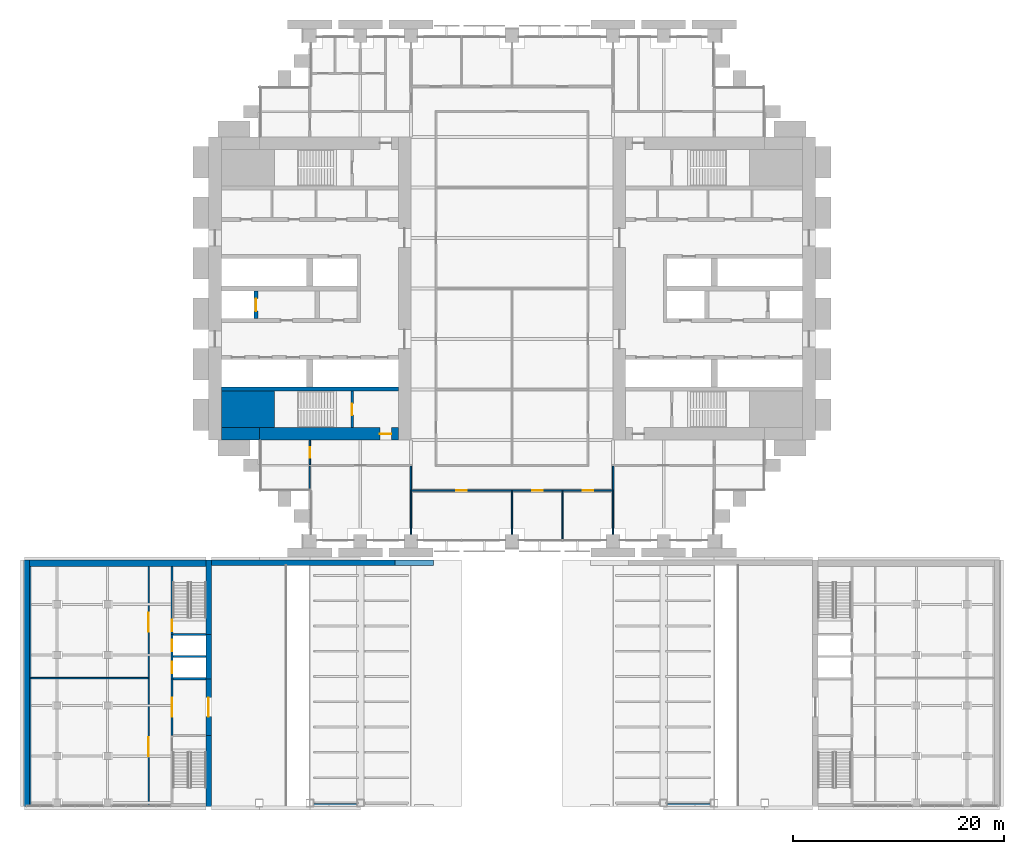
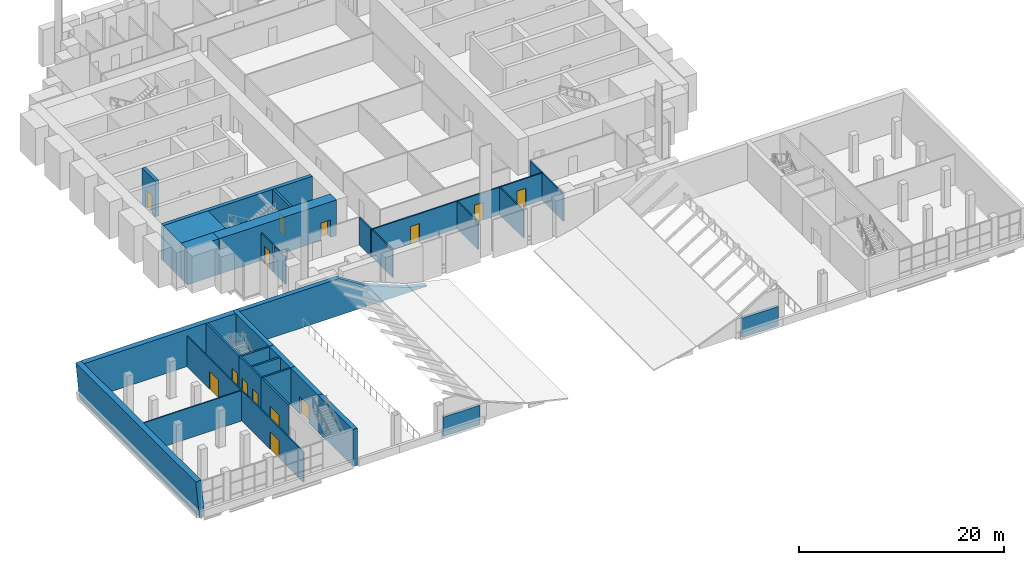
# One storey, part 20 of 32: 32 walls, 14 doors, 14 openings.
"""IFC4 building model written with IfcOpenShell, lengths in metres."""

from ifc_helpers import new_model, si_unit, direction, frame, frame_2d, origin, place, context, subcontext, project, spatial, polyline, rectangle, outline, extrude, material, layer, layer_set, type_object, element, fill, save


model = new_model("IFC4")

# Units and contexts
model_context = context("Model", 3, precision=1e-05, world=origin(), true_north=direction((0.0, 1.0)))
body_context = subcontext(model_context, "Body", "Model", "MODEL_VIEW")
ifc_project = project(units=[si_unit("LENGTHUNIT", "METRE"), si_unit("AREAUNIT", "SQUARE_METRE"), si_unit("VOLUMEUNIT", "CUBIC_METRE"), si_unit("PLANEANGLEUNIT", "RADIAN"), si_unit("MASSUNIT", "GRAM", prefix="KILO")], contexts=[model_context])

# Site, building, storey
site_placement = place(None, origin())
site = spatial("IfcSite", under=ifc_project, at=site_placement, CompositionType="ELEMENT")
building_placement = place(site_placement, origin())
building = spatial("IfcBuilding", under=site, at=building_placement, Name="Baori Bourse Tower", CompositionType="ELEMENT")
storey_placement = place(building_placement, frame((0.0, 0.0, 12.60009765625)))
storey = spatial("IfcBuildingStorey", under=building, at=storey_placement, Name="L01", CompositionType="ELEMENT", Elevation=12.60009765625)

# Walls
ifc_material_1 = material(Name="Concrete f'c 70 MPa", Category="concrete")
wall_type_1 = type_object("IfcWallType", Name="Core corner block f'c 70", PredefinedType="SHEAR", material=ifc_material_1)
wall_1_placement = place(storey_placement, frame((1.199951171875, 12.52490234375, 0.0), z_axis=(0.0, 0.0, 1.0), x_axis=(1.0, 0.0, 0.0)))
element("IfcWall", 1, at=wall_1_placement, inside=storey, type_object=wall_type_1, Name="Core wall W05", PredefinedType="SHEAR", context=body_context, shape_type="SweptSolid", body=[
    extrude(rectangle(XDim=5.050048828125, YDim=3.449951171875, at=frame_2d((2.52490234375, 0.0))), origin(), (0.0, 0.0, 1.0), 4.239990234375),
])
ifc_material_2 = material(Name="Concrete f'c 70 MPa", Category="concrete")
ifc_layer_1 = layer(ifc_material_2, 1.199951171875)
ifc_layer_set_1 = layer_set([ifc_layer_1], Name="Core wall 1200 f'c 70")
wall_type_2 = type_object("IfcWallType", Name="Core wall 1200 f'c 70", PredefinedType="SHEAR", material=ifc_layer_set_1)
wall_2_placement = place(storey_placement, frame((4.800048828125, 10.199951171875, 0.0), z_axis=(0.0, 0.0, 1.0), x_axis=(-1.0, 0.0, 0.0)))
element("IfcWall", 2, at=wall_2_placement, inside=storey, type_object=wall_type_2, Name="Core wall W02", PredefinedType="SHEAR", context=body_context, shape_type="SweptSolid", body=[
    extrude(rectangle(XDim=3.60009765625, YDim=1.199951171875, at=frame_2d((1.800048828125, 0.0))), origin(), (0.0, 0.0, 1.0), 4.239990234375),
])

# Wall, opening, door
wall_3_placement = place(storey_placement, frame((18.0, 10.199951171875, 0.0), z_axis=(0.0, 0.0, 1.0), x_axis=(-1.0, 0.0, 0.0)))
wall_3 = element("IfcWall", 3, at=wall_3_placement, inside=storey, type_object=wall_type_2, Name="Core wall W03", PredefinedType="SHEAR", context=body_context, shape_type="SweptSolid", body=[
    extrude(rectangle(XDim=13.199951171875, YDim=1.199951171875, at=frame_2d((6.60009765625, 0.0))), origin(), (0.0, 0.0, 1.0), 4.239990234375),
])
opening_1_placement = place(wall_3_placement, frame((0.64990234375, 0.0, 0.0)))
opening_1 = element("IfcOpeningElement", 4, at=opening_1_placement, cuts=wall_3, Name="Opening L01-D102", PredefinedType="OPENING", context=body_context, shape_type="SweptSolid", body=[
    extrude(rectangle(XDim=1.10009765625, YDim=2.10009765625, at=frame_2d((0.550048828125, 1.050048828125))), frame((0.0, 0.60986328125, 0.0), z_axis=(0.0, -1.0, 0.0), x_axis=(1.0, 0.0, 0.0)), (0.0, 0.0, 1.0), 1.219970703125),
])
ifc_material_3 = material(Name="Painted steel door", Category="steel")
door_type_1 = type_object("IfcDoorType", Name="Stair door 1100", OperationType="SINGLE_SWING_LEFT", PredefinedType="DOOR", material=ifc_material_3)
door_1_placement = place(opening_1_placement, origin())
door_1 = element("IfcDoor", 5, at=door_1_placement, inside=storey, type_object=door_type_1, Name="Stair vestibule door A W L01", OperationType="SINGLE_SWING_LEFT", OverallHeight=2.10009765625, OverallWidth=1.10009765625, PredefinedType="DOOR", context=body_context, shape_type="SweptSolid", body=[
    extrude(rectangle(XDim=1.10009765625, YDim=2.10009765625, at=frame_2d((0.550048828125, 1.050048828125))), frame((0.0, 0.02490234375, 0.0), z_axis=(0.0, -1.0, 0.0), x_axis=(1.0, 0.0, 0.0)), (0.0, 0.0, 1.0), 0.050048828125),
])
fill(opening_1, door_1)

# Wall, openings, doors
ifc_material_4 = material(Name="Gypsum board partition")
ifc_layer_2 = layer(ifc_material_4, 0.14990234375)
ifc_layer_set_2 = layer_set([ifc_layer_2], Name="Corridor partition 150")
wall_type_3 = type_object("IfcWallType", Name="Corridor partition 150", PredefinedType="PARTITIONING", material=ifc_layer_set_2)
wall_4_placement = place(storey_placement, frame((19.125, 4.800048828125, 0.0), z_axis=(0.0, 0.0, 1.0), x_axis=(1.0, 0.0, 0.0)))
wall_4 = element("IfcWall", 6, at=wall_4_placement, inside=storey, type_object=wall_type_3, Name="Partition", PredefinedType="PARTITIONING", context=body_context, shape_type="SweptSolid", body=[
    extrude(rectangle(XDim=19.35009765625, YDim=0.14990234375, at=frame_2d((9.675048828125, 0.0))), origin(), (0.0, 0.0, 1.0), 3.26953125),
])
opening_2_placement = place(wall_4_placement, frame((4.375, 0.0, 0.0)))
opening_2 = element("IfcOpeningElement", 7, at=opening_2_placement, cuts=wall_4, Name="Opening L01-D01", PredefinedType="OPENING", context=body_context, shape_type="SweptSolid", body=[
    extrude(rectangle(XDim=1.0, YDim=2.10009765625, at=frame_2d((0.5, 1.050048828125))), frame((0.0, 0.0849609375, 0.0), z_axis=(0.0, -1.0, 0.0), x_axis=(1.0, 0.0, 0.0)), (0.0, 0.0, 1.0), 0.169921875),
])
opening_3_placement = place(wall_4_placement, frame((11.574951171875, 0.0, 0.0)))
opening_3 = element("IfcOpeningElement", 8, at=opening_3_placement, cuts=wall_4, Name="Opening L01-D02", PredefinedType="OPENING", context=body_context, shape_type="SweptSolid", body=[
    extrude(rectangle(XDim=1.0, YDim=2.10009765625, at=frame_2d((0.5, 1.050048828125))), frame((0.0, 0.0849609375, 0.0), z_axis=(0.0, -1.0, 0.0), x_axis=(1.0, 0.0, 0.0)), (0.0, 0.0, 1.0), 0.169921875),
])
opening_4_placement = place(wall_4_placement, frame((16.375, 0.0, 0.0)))
opening_4 = element("IfcOpeningElement", 9, at=opening_4_placement, cuts=wall_4, Name="Opening L01-D03", PredefinedType="OPENING", context=body_context, shape_type="SweptSolid", body=[
    extrude(rectangle(XDim=1.0, YDim=2.10009765625, at=frame_2d((0.5, 1.050048828125))), frame((0.0, 0.0849609375, 0.0), z_axis=(0.0, -1.0, 0.0), x_axis=(1.0, 0.0, 0.0)), (0.0, 0.0, 1.0), 0.169921875),
])
ifc_material_5 = material(Name="Timber door leaf", Category="wood")
door_type_2 = type_object("IfcDoorType", Name="Door 1000 x 2100", OperationType="SINGLE_SWING_LEFT", PredefinedType="DOOR", material=ifc_material_5)
door_2_placement = place(opening_2_placement, origin())
door_2 = element("IfcDoor", 10, at=door_2_placement, inside=storey, type_object=door_type_2, Name="Door", OperationType="SINGLE_SWING_LEFT", OverallHeight=2.10009765625, OverallWidth=1.0, PredefinedType="DOOR", context=body_context, shape_type="SweptSolid", body=[
    extrude(rectangle(XDim=1.0, YDim=2.10009765625, at=frame_2d((0.5, 1.050048828125))), frame((0.0, 0.02490234375, 0.0), z_axis=(0.0, -1.0, 0.0), x_axis=(1.0, 0.0, 0.0)), (0.0, 0.0, 1.0), 0.050048828125),
])
fill(opening_2, door_2)
door_3_placement = place(opening_3_placement, origin())
door_3 = element("IfcDoor", 11, at=door_3_placement, inside=storey, type_object=door_type_2, Name="Door", OperationType="SINGLE_SWING_RIGHT", OverallHeight=2.10009765625, OverallWidth=1.0, PredefinedType="DOOR", context=body_context, shape_type="SweptSolid", body=[
    extrude(rectangle(XDim=1.0, YDim=2.10009765625, at=frame_2d((0.5, 1.050048828125))), frame((0.0, 0.02490234375, 0.0), z_axis=(0.0, -1.0, 0.0), x_axis=(1.0, 0.0, 0.0)), (0.0, 0.0, 1.0), 0.050048828125),
])
fill(opening_3, door_3)
door_4_placement = place(opening_4_placement, origin())
door_4 = element("IfcDoor", 12, at=door_4_placement, inside=storey, type_object=door_type_2, Name="Door", OperationType="SINGLE_SWING_RIGHT", OverallHeight=2.10009765625, OverallWidth=1.0, PredefinedType="DOOR", context=body_context, shape_type="SweptSolid", body=[
    extrude(rectangle(XDim=1.0, YDim=2.10009765625, at=frame_2d((0.5, 1.050048828125))), frame((0.0, 0.02490234375, 0.0), z_axis=(0.0, -1.0, 0.0), x_axis=(1.0, 0.0, 0.0)), (0.0, 0.0, 1.0), 0.050048828125),
])
fill(opening_4, door_4)

# Wall, opening, door
wall_5_placement = place(storey_placement, frame((9.60009765625, 7.27490234375, 0.0), z_axis=(0.0, 0.0, 1.0), x_axis=(0.0, 1.0, 0.0)))
wall_5 = element("IfcWall", 13, at=wall_5_placement, inside=storey, type_object=wall_type_3, Name="Partition", PredefinedType="PARTITIONING", context=body_context, shape_type="SweptSolid", body=[
    extrude(rectangle(XDim=2.3251953125, YDim=0.14990234375, at=frame_2d((1.16259765625, 0.0))), origin(), (0.0, 0.0, 1.0), 3.26953125),
])
opening_5_placement = place(wall_5_placement, frame((0.66259765625, 0.0, 0.0)))
opening_5 = element("IfcOpeningElement", 14, at=opening_5_placement, cuts=wall_5, Name="Opening L01-D15", PredefinedType="OPENING", context=body_context, shape_type="SweptSolid", body=[
    extrude(rectangle(XDim=1.0, YDim=2.10009765625, at=frame_2d((0.5, 1.050048828125))), frame((0.0, 0.0849609375, 0.0), z_axis=(0.0, -1.0, 0.0), x_axis=(1.0, 0.0, 0.0)), (0.0, 0.0, 1.0), 0.169921875),
])
door_5_placement = place(opening_5_placement, origin())
door_5 = element("IfcDoor", 15, at=door_5_placement, inside=storey, type_object=door_type_2, Name="Door", OperationType="SINGLE_SWING_RIGHT", OverallHeight=2.10009765625, OverallWidth=1.0, PredefinedType="DOOR", context=body_context, shape_type="SweptSolid", body=[
    extrude(rectangle(XDim=1.0, YDim=2.10009765625, at=frame_2d((0.5, 1.050048828125))), frame((0.0, 0.02490234375, 0.0), z_axis=(0.0, -1.0, 0.0), x_axis=(1.0, 0.0, 0.0)), (0.0, 0.0, 1.0), 0.050048828125),
])
fill(opening_5, door_5)

# Walls
for number, where, z_axis, x_axis, name in (
    (16, (19.199951171875, 4.875, 0.0), (0.0, 0.0, 1.0), (0.0, 1.0, 0.0), "Partition"),
    (17, (38.39990234375, 4.875, 0.0), (0.0, 0.0, 1.0), (0.0, 1.0, 0.0), "Partition"),
):
    element("IfcWall", number, at=place(storey_placement, frame(where, z_axis=z_axis, x_axis=x_axis)), inside=storey, type_object=wall_type_3, Name=name, PredefinedType="PARTITIONING", context=body_context, shape_type="SweptSolid", body=[
        extrude(rectangle(XDim=2.25, YDim=0.14990234375, at=frame_2d((1.125, 0.0))), origin(), (0.0, 0.0, 1.0), 3.26953125),
    ])
ifc_material_6 = material(Name="Concrete f'c 50 MPa", Category="concrete")
ifc_layer_3 = layer(ifc_material_6, 0.300048828125)
ifc_layer_set_3 = layer_set([ifc_layer_3], Name="Entrance wall 300")
wall_type_4 = type_object("IfcWallType", Name="Entrance wall 300", PredefinedType="SOLIDWALL", material=ifc_layer_set_3)
wall_6_placement = place(storey_placement, frame((14.050048828125, -25.050048828125, 0.0), z_axis=(0.0, 0.0, 1.0), x_axis=(-1.0, 0.0, 0.0)))
element("IfcWall", 18, at=wall_6_placement, inside=storey, type_object=wall_type_4, Name="wing/L01/entwall/001", PredefinedType="SOLIDWALL", context=body_context, shape_type="SweptSolid", body=[
    extrude(rectangle(XDim=4.10009765625, YDim=0.300048828125, at=frame_2d((2.050048828125, 0.0))), origin(), (0.0, 0.0, 1.0), 2.2998046875),
])
wall_7_placement = place(storey_placement, frame((47.64990234375, -25.050048828125, 0.0), z_axis=(0.0, 0.0, 1.0), x_axis=(-1.0, 0.0, 0.0)))
element("IfcWall", 19, at=wall_7_placement, inside=storey, type_object=wall_type_4, Name="wing/L01/entwall/002", PredefinedType="SOLIDWALL", context=body_context, shape_type="SweptSolid", body=[
    extrude(rectangle(XDim=4.099853515625, YDim=0.300048828125, at=frame_2d((2.0498046875, 0.0))), origin(), (0.0, 0.0, 1.0), 2.2998046875),
])
ifc_material_7 = material(Name="Concrete f'c 50 MPa", Category="concrete")
ifc_layer_4 = layer(ifc_material_7, 0.5)
ifc_layer_set_4 = layer_set([ifc_layer_4], Name="Hall end wall 500")
wall_type_5 = type_object("IfcWallType", Name="Hall end wall 500", PredefinedType="SOLIDWALL", material=ifc_layer_set_4)
wall_8_placement = place(storey_placement, frame((0.0, -1.800048828125, 0.0), z_axis=(0.0, 0.0, 1.0), x_axis=(0.0, -1.0, 0.0)))
element("IfcWall", 20, at=wall_8_placement, inside=storey, type_object=wall_type_5, Name="wing/L01/Whallwall/001", PredefinedType="SOLIDWALL", context=body_context, shape_type="SweptSolid", body=[
    extrude(rectangle(XDim=7.06005859375, YDim=0.5, at=frame_2d((3.530029296875, 0.0))), origin(), (0.0, 0.0, 1.0), 4.39990234375),
])
wall_9_placement = place(storey_placement, frame((0.0, -8.860107421875, 0.0), z_axis=(0.0, 0.0, 1.0), x_axis=(0.0, -1.0, 0.0)))
element("IfcWall", 21, at=wall_9_placement, inside=storey, type_object=wall_type_5, Name="wing/L01/Whallwall/002", PredefinedType="SOLIDWALL", context=body_context, shape_type="SweptSolid", body=[
    extrude(rectangle(XDim=4.199951171875, YDim=0.5, at=frame_2d((2.10009765625, 0.0))), origin(), (0.0, 0.0, 1.0), 4.39990234375),
])

# Wall, opening, door
wall_10_placement = place(storey_placement, frame((0.0, -13.06005859375, 0.0), z_axis=(0.0, 0.0, 1.0), x_axis=(0.0, -1.0, 0.0)))
wall_10 = element("IfcWall", 22, at=wall_10_placement, inside=storey, type_object=wall_type_5, Name="wing/L01/Whallwall/003", PredefinedType="SOLIDWALL", context=body_context, shape_type="SweptSolid", body=[
    extrude(rectangle(XDim=5.3798828125, YDim=0.5, at=frame_2d((2.68994140625, 0.0))), origin(), (0.0, 0.0, 1.0), 4.39990234375),
])
opening_6_placement = place(wall_10_placement, frame((1.7900390625, 0.0, 0.0)))
opening_6 = element("IfcOpeningElement", 23, at=opening_6_placement, cuts=wall_10, Name="Opening WGW-L01-06", PredefinedType="OPENING", context=body_context, shape_type="SweptSolid", body=[
    extrude(rectangle(XDim=1.800048828125, YDim=2.10009765625, at=frame_2d((0.89990234375, 1.050048828125))), frame((0.0, 0.260009765625, 0.0), z_axis=(0.0, -1.0, 0.0), x_axis=(1.0, 0.0, 0.0)), (0.0, 0.0, 1.0), 0.52001953125),
])
ifc_material_8 = material(Name="Timber door", Category="wood")
door_type_3 = type_object("IfcDoorType", Name="Wing double door 1800x2100", OperationType="DOUBLE_DOOR_SINGLE_SWING", PredefinedType="DOOR", material=ifc_material_8)
door_6_placement = place(opening_6_placement, origin())
door_6 = element("IfcDoor", 24, at=door_6_placement, inside=storey, type_object=door_type_3, Name="WGW-L01-06", OperationType="DOUBLE_DOOR_SINGLE_SWING", OverallHeight=2.10009765625, OverallWidth=1.800048828125, PredefinedType="DOOR", context=body_context, shape_type="SweptSolid", body=[
    extrude(rectangle(XDim=1.800048828125, YDim=2.10009765625, at=frame_2d((0.89990234375, 1.050048828125))), frame((0.0, 0.02490234375, 0.0), z_axis=(0.0, -1.0, 0.0), x_axis=(1.0, 0.0, 0.0)), (0.0, 0.0, 1.0), 0.050048828125),
])
fill(opening_6, door_6)

# Walls
wall_11_placement = place(storey_placement, frame((0.0, -18.43994140625, 0.0), z_axis=(0.0, 0.0, 1.0), x_axis=(0.0, -1.0, 0.0)))
element("IfcWall", 25, at=wall_11_placement, inside=storey, type_object=wall_type_5, Name="wing/L01/Whallwall/004", PredefinedType="SOLIDWALL", context=body_context, shape_type="SweptSolid", body=[
    extrude(rectangle(XDim=6.760009765625, YDim=0.5, at=frame_2d((3.3798828125, 0.0))), origin(), (0.0, 0.0, 1.0), 4.39990234375),
])
ifc_material_9 = material(Name="Concrete f'c 50 MPa", Category="concrete")
ifc_layer_5 = layer(ifc_material_9, 0.5)
ifc_layer_set_5 = layer_set([ifc_layer_5], Name="Hall north wall 500")
wall_type_6 = type_object("IfcWallType", Name="Hall north wall 500", PredefinedType="SOLIDWALL", material=ifc_layer_set_5)
wall_12_placement = place(storey_placement, frame((0.25, -2.050048828125, 0.0), z_axis=(0.0, 0.0, 1.0), x_axis=(1.0, 0.0, 0.0)))
element("IfcWall", 26, at=wall_12_placement, inside=storey, type_object=wall_type_6, Name="wing/L01/hallnorth/001", PredefinedType="SOLIDWALL", context=body_context, shape_type="SweptSolid", body=[
    extrude(outline(polyline([(0.0, 0.0), (21.091064453125, 0.0), (21.091064453125, 0.099853515625), (18.949951171875, 0.5908203125), (14.14990234375, 2.538818359375), (11.173583984375, 4.39990234375), (9.35009765625, 4.39990234375), (4.550048828125, 4.39990234375), (0.0, 4.39990234375), (0.0, 0.0)])), frame((0.0, 0.25, 0.0), z_axis=(0.0, -1.0, 0.0), x_axis=(1.0, 0.0, 0.0)), (0.0, 0.0, 1.0), 0.5),
])
ifc_material_10 = material(Name="Concrete f'c 50 MPa", Category="concrete")
ifc_layer_6 = layer(ifc_material_10, 0.60009765625)
ifc_layer_set_6 = layer_set([ifc_layer_6], Name="Leaning end wall 600")
wall_type_7 = type_object("IfcWallType", Name="Leaning end wall 600", PredefinedType="SOLIDWALL", material=ifc_layer_set_6)
wall_13_placement = place(storey_placement, frame((-16.902587890625, -25.199951171875, 0.0), z_axis=(0.995397890889, 0.0, 0.095828173382), x_axis=(0.0, 1.0, 0.0)))
element("IfcWall", 27, at=wall_13_placement, inside=storey, type_object=wall_type_7, Name="wing/L01/Wleanwall/001", PredefinedType="SOLIDWALL", context=body_context, shape_type="SweptSolid", body=[
    extrude(outline(polyline([(0.0, 0.0), (23.39990234375, 0.0), (23.39990234375, 4.420244792582843), (0.0, 4.420244792582843), (0.0, 0.0)])), origin(), (0.0, 0.0, -1.0), 0.60009765625),
])
ifc_material_11 = material(Name="Gypsum board partition")
ifc_layer_7 = layer(ifc_material_11, 0.125)
ifc_layer_set_7 = layer_set([ifc_layer_7], Name="Partition 125")
wall_type_8 = type_object("IfcWallType", Name="Partition 125", PredefinedType="PARTITIONING", material=ifc_layer_set_7)
wall_14_placement = place(storey_placement, frame((9.60009765625, 4.89990234375, 0.0), z_axis=(0.0, 0.0, 1.0), x_axis=(0.0, 1.0, 0.0)))
element("IfcWall", 28, at=wall_14_placement, inside=storey, type_object=wall_type_8, Name="Partition", PredefinedType="PARTITIONING", context=body_context, shape_type="SweptSolid", body=[
    extrude(rectangle(XDim=2.22509765625, YDim=0.125, at=frame_2d((1.112548828125, 0.0))), origin(), (0.0, 0.0, 1.0), 3.26953125),
])
for number, where, z_axis, x_axis, name in (
    (29, (19.199951171875, 0.64990234375, 0.0), (0.0, 0.0, 1.0), (0.0, 1.0, 0.0), "Partition"),
    (30, (28.800048828125, 0.64990234375, 0.0), (0.0, 0.0, 1.0), (0.0, 1.0, 0.0), "Partition"),
):
    element("IfcWall", number, at=place(storey_placement, frame(where, z_axis=z_axis, x_axis=x_axis)), inside=storey, type_object=wall_type_8, Name=name, PredefinedType="PARTITIONING", context=body_context, shape_type="SweptSolid", body=[
        extrude(rectangle(XDim=4.0751953125, YDim=0.125, at=frame_2d((2.03759765625, 0.0))), origin(), (0.0, 0.0, 1.0), 3.26953125),
    ])
wall_15_placement = place(storey_placement, frame((33.60009765625, 0.10009765625, 0.0), z_axis=(0.0, 0.0, 1.0), x_axis=(0.0, 1.0, 0.0)))
element("IfcWall", 31, at=wall_15_placement, inside=storey, type_object=wall_type_8, Name="Partition", PredefinedType="PARTITIONING", context=body_context, shape_type="SweptSolid", body=[
    extrude(rectangle(XDim=4.625, YDim=0.125, at=frame_2d((2.3125, 0.0))), origin(), (0.0, 0.0, 1.0), 3.26953125),
])
wall_16_placement = place(storey_placement, frame((38.39990234375, 0.64990234375, 0.0), z_axis=(0.0, 0.0, 1.0), x_axis=(0.0, 1.0, 0.0)))
element("IfcWall", 32, at=wall_16_placement, inside=storey, type_object=wall_type_8, Name="Partition", PredefinedType="PARTITIONING", context=body_context, shape_type="SweptSolid", body=[
    extrude(rectangle(XDim=4.0751953125, YDim=0.125, at=frame_2d((2.03759765625, 0.0))), origin(), (0.0, 0.0, 1.0), 3.26953125),
])

# Wall, opening, door
ifc_material_12 = material(Name="Concrete f'c 50 MPa", Category="concrete")
ifc_layer_8 = layer(ifc_material_12, 0.199951171875)
ifc_layer_set_8 = layer_set([ifc_layer_8], Name="Shaft wall 200")
wall_type_9 = type_object("IfcWallType", Name="Shaft wall 200", PredefinedType="SOLIDWALL", material=ifc_layer_set_8)
wall_17_placement = place(storey_placement, frame((-3.5, -2.39990234375, 0.0), z_axis=(0.0, 0.0, 1.0), x_axis=(0.0, -1.0, 0.0)))
wall_17 = element("IfcWall", 33, at=wall_17_placement, inside=storey, type_object=wall_type_9, Name="wing/L01/WcorrwallE/001", PredefinedType="SOLIDWALL", context=body_context, shape_type="SweptSolid", body=[
    extrude(rectangle(XDim=6.460205078125, YDim=0.199951171875, at=frame_2d((3.22998046875, 0.0))), origin(), (0.0, 0.0, 1.0), 4.39990234375),
])
opening_7_placement = place(wall_17_placement, frame((5.050048828125, 0.0, 0.0)))
opening_7 = element("IfcOpeningElement", 34, at=opening_7_placement, cuts=wall_17, Name="Opening WGW-L01-01", PredefinedType="OPENING", context=body_context, shape_type="SweptSolid", body=[
    extrude(rectangle(XDim=1.10009765625, YDim=2.10009765625, at=frame_2d((0.550048828125, 1.050048828125))), frame((0.0, 0.10986328125, 0.0), z_axis=(0.0, -1.0, 0.0), x_axis=(1.0, 0.0, 0.0)), (0.0, 0.0, 1.0), 0.219970703125),
])
ifc_material_13 = material(Name="Steel fire door", Category="steel")
door_type_4 = type_object("IfcDoorType", Name="Wing stair door 1100", OperationType="SINGLE_SWING_LEFT", PredefinedType="DOOR", material=ifc_material_13)
door_7_placement = place(opening_7_placement, origin())
door_7 = element("IfcDoor", 35, at=door_7_placement, inside=storey, type_object=door_type_4, Name="WGW-L01-01", OperationType="SINGLE_SWING_LEFT", OverallHeight=2.10009765625, OverallWidth=1.10009765625, PredefinedType="DOOR", context=body_context, shape_type="SweptSolid", body=[
    extrude(rectangle(XDim=1.10009765625, YDim=2.10009765625, at=frame_2d((0.550048828125, 1.050048828125))), frame((0.0, 0.02490234375, 0.0), z_axis=(0.0, -1.0, 0.0), x_axis=(1.0, 0.0, 0.0)), (0.0, 0.0, 1.0), 0.050048828125),
])
fill(opening_7, door_7)

# Wall, openings, doors
wall_18_placement = place(storey_placement, frame((-3.5, -8.860107421875, 0.0), z_axis=(0.0, 0.0, 1.0), x_axis=(0.0, -1.0, 0.0)))
wall_18 = element("IfcWall", 36, at=wall_18_placement, inside=storey, type_object=wall_type_9, Name="wing/L01/WcorrwallE/002", PredefinedType="SOLIDWALL", context=body_context, shape_type="SweptSolid", body=[
    extrude(rectangle(XDim=4.199951171875, YDim=0.199951171875, at=frame_2d((2.10009765625, 0.0))), origin(), (0.0, 0.0, 1.0), 4.39990234375),
])
opening_8_placement = place(wall_18_placement, frame((0.5, 0.0, 0.0)))
opening_8 = element("IfcOpeningElement", 37, at=opening_8_placement, cuts=wall_18, Name="Opening LD-W-L01-P", PredefinedType="OPENING", context=body_context, shape_type="SweptSolid", body=[
    extrude(rectangle(XDim=1.10009765625, YDim=2.10009765625, at=frame_2d((0.550048828125, 1.050048828125))), frame((0.0, 0.10986328125, 0.0), z_axis=(0.0, -1.0, 0.0), x_axis=(1.0, 0.0, 0.0)), (0.0, 0.0, 1.0), 0.219970703125),
])
opening_9_placement = place(wall_18_placement, frame((2.60009765625, 0.0, 0.0)))
opening_9 = element("IfcOpeningElement", 38, at=opening_9_placement, cuts=wall_18, Name="Opening LD-W-L01-S", PredefinedType="OPENING", context=body_context, shape_type="SweptSolid", body=[
    extrude(rectangle(XDim=1.10009765625, YDim=2.10009765625, at=frame_2d((0.550048828125, 1.050048828125))), frame((0.0, 0.10986328125, 0.0), z_axis=(0.0, -1.0, 0.0), x_axis=(1.0, 0.0, 0.0)), (0.0, 0.0, 1.0), 0.219970703125),
])
ifc_material_14 = material(Name="Stainless steel door", Category="steel")
door_type_5 = type_object("IfcDoorType", Name="Lift landing door 1100", OperationType="SLIDING_TO_LEFT", PredefinedType="DOOR", material=ifc_material_14)
door_8_placement = place(opening_8_placement, origin())
door_8 = element("IfcDoor", 39, at=door_8_placement, inside=storey, type_object=door_type_5, Name="LD-W-L01-P", OperationType="SLIDING_TO_LEFT", OverallHeight=2.10009765625, OverallWidth=1.10009765625, PredefinedType="DOOR", context=body_context, shape_type="SweptSolid", body=[
    extrude(rectangle(XDim=1.10009765625, YDim=2.10009765625, at=frame_2d((0.550048828125, 1.050048828125))), frame((0.0, 0.02490234375, 0.0), z_axis=(0.0, -1.0, 0.0), x_axis=(1.0, 0.0, 0.0)), (0.0, 0.0, 1.0), 0.050048828125),
])
fill(opening_8, door_8)
door_9_placement = place(opening_9_placement, origin())
door_9 = element("IfcDoor", 40, at=door_9_placement, inside=storey, type_object=door_type_5, Name="LD-W-L01-S", OperationType="SLIDING_TO_LEFT", OverallHeight=2.10009765625, OverallWidth=1.10009765625, PredefinedType="DOOR", context=body_context, shape_type="SweptSolid", body=[
    extrude(rectangle(XDim=1.10009765625, YDim=2.10009765625, at=frame_2d((0.550048828125, 1.050048828125))), frame((0.0, 0.02490234375, 0.0), z_axis=(0.0, -1.0, 0.0), x_axis=(1.0, 0.0, 0.0)), (0.0, 0.0, 1.0), 0.050048828125),
])
fill(opening_9, door_9)

# Wall, opening, door
wall_19_placement = place(storey_placement, frame((-3.5, -13.06005859375, 0.0), z_axis=(0.0, 0.0, 1.0), x_axis=(0.0, -1.0, 0.0)))
wall_19 = element("IfcWall", 41, at=wall_19_placement, inside=storey, type_object=wall_type_9, Name="wing/L01/WcorrwallE/003", PredefinedType="SOLIDWALL", context=body_context, shape_type="SweptSolid", body=[
    extrude(rectangle(XDim=5.3798828125, YDim=0.199951171875, at=frame_2d((2.68994140625, 0.0))), origin(), (0.0, 0.0, 1.0), 4.39990234375),
])
opening_10_placement = place(wall_19_placement, frame((1.7900390625, 0.0, 0.0)))
opening_10 = element("IfcOpeningElement", 42, at=opening_10_placement, cuts=wall_19, Name="Opening WGW-L01-05", PredefinedType="OPENING", context=body_context, shape_type="SweptSolid", body=[
    extrude(rectangle(XDim=1.800048828125, YDim=2.10009765625, at=frame_2d((0.89990234375, 1.050048828125))), frame((0.0, 0.10986328125, 0.0), z_axis=(0.0, -1.0, 0.0), x_axis=(1.0, 0.0, 0.0)), (0.0, 0.0, 1.0), 0.219970703125),
])
door_10_placement = place(opening_10_placement, origin())
door_10 = element("IfcDoor", 43, at=door_10_placement, inside=storey, type_object=door_type_3, Name="WGW-L01-05", OperationType="DOUBLE_DOOR_SINGLE_SWING", OverallHeight=2.10009765625, OverallWidth=1.800048828125, PredefinedType="DOOR", context=body_context, shape_type="SweptSolid", body=[
    extrude(rectangle(XDim=1.800048828125, YDim=2.10009765625, at=frame_2d((0.89990234375, 1.050048828125))), frame((0.0, 0.02490234375, 0.0), z_axis=(0.0, -1.0, 0.0), x_axis=(1.0, 0.0, 0.0)), (0.0, 0.0, 1.0), 0.050048828125),
])
fill(opening_10, door_10)

# Walls
for number, where, z_axis, x_axis, name in (
    (44, (-3.39990234375, -8.860107421875, 0.0), (0.0, 0.0, 1.0), (1.0, 0.0, 0.0), "wing/L01/Wshaftwall/001"),
    (45, (-3.39990234375, -10.9599609375, 0.0), (0.0, 0.0, 1.0), (1.0, 0.0, 0.0), "wing/L01/Wshaftwall/002"),
    (46, (-3.39990234375, -13.06005859375, 0.0), (0.0, 0.0, 1.0), (1.0, 0.0, 0.0), "wing/L01/Wshaftwall/003"),
):
    element("IfcWall", number, at=place(storey_placement, frame(where, z_axis=z_axis, x_axis=x_axis)), inside=storey, type_object=wall_type_9, Name=name, PredefinedType="SOLIDWALL", context=body_context, shape_type="SweptSolid", body=[
        extrude(rectangle(XDim=3.14990234375, YDim=0.199951171875, at=frame_2d((1.574951171875, 0.0))), origin(), (0.0, 0.0, 1.0), 4.39990234375),
    ])

# Wall, opening, door
ifc_material_15 = material(Name="Concrete f'c 70 MPa", Category="concrete")
ifc_layer_9 = layer(ifc_material_15, 0.25)
ifc_layer_set_9 = layer_set([ifc_layer_9], Name="Shaft wall 250 f'c 70")
wall_type_10 = type_object("IfcWallType", Name="Shaft wall 250 f'c 70", PredefinedType="SHEAR", material=ifc_layer_set_9)
wall_20_placement = place(storey_placement, frame((13.625, 10.800048828125, 0.0), z_axis=(0.0, 0.0, 1.0), x_axis=(0.0, 1.0, 0.0)))
wall_20 = element("IfcWall", 47, at=wall_20_placement, inside=storey, type_object=wall_type_10, Name="Core wall W06", PredefinedType="SHEAR", context=body_context, shape_type="SweptSolid", body=[
    extrude(rectangle(XDim=3.449951171875, YDim=0.25, at=frame_2d((1.72509765625, 0.0))), origin(), (0.0, 0.0, 1.0), 4.239990234375),
])
opening_11_placement = place(wall_20_placement, frame((1.175048828125, 0.0, 0.0)))
opening_11 = element("IfcOpeningElement", 48, at=opening_11_placement, cuts=wall_20, Name="Opening L01-D101", PredefinedType="OPENING", context=body_context, shape_type="SweptSolid", body=[
    extrude(rectangle(XDim=1.10009765625, YDim=2.10009765625, at=frame_2d((0.550048828125, 1.050048828125))), frame((0.0, 0.135009765625, 0.0), z_axis=(0.0, -1.0, 0.0), x_axis=(1.0, 0.0, 0.0)), (0.0, 0.0, 1.0), 0.27001953125),
])
door_11_placement = place(opening_11_placement, origin())
door_11 = element("IfcDoor", 49, at=door_11_placement, inside=storey, type_object=door_type_1, Name="Stair door A W L01", OperationType="SINGLE_SWING_LEFT", OverallHeight=2.10009765625, OverallWidth=1.10009765625, PredefinedType="DOOR", context=body_context, shape_type="SweptSolid", body=[
    extrude(rectangle(XDim=1.10009765625, YDim=2.10009765625, at=frame_2d((0.550048828125, 1.050048828125))), frame((0.0, 0.02490234375, 0.0), z_axis=(0.0, -1.0, 0.0), x_axis=(1.0, 0.0, 0.0)), (0.0, 0.0, 1.0), 0.050048828125),
])
fill(opening_11, door_11)

# Wall
ifc_material_16 = material(Name="Concrete f'c 70 MPa", Category="concrete")
ifc_layer_10 = layer(ifc_material_16, 0.39990234375)
ifc_layer_set_10 = layer_set([ifc_layer_10], Name="Shaft wall 400 f'c 70")
wall_type_11 = type_object("IfcWallType", Name="Shaft wall 400 f'c 70", PredefinedType="SHEAR", material=ifc_layer_set_10)
wall_21_placement = place(storey_placement, frame((1.199951171875, 14.449951171875, 0.0), z_axis=(0.0, 0.0, 1.0), x_axis=(1.0, 0.0, 0.0)))
element("IfcWall", 50, at=wall_21_placement, inside=storey, type_object=wall_type_11, Name="Core wall W07", PredefinedType="SHEAR", context=body_context, shape_type="SweptSolid", body=[
    extrude(rectangle(XDim=16.800048828125, YDim=0.39990234375, at=frame_2d((8.39990234375, 0.0))), origin(), (0.0, 0.0, 1.0), 4.239990234375),
])

# Wall, opening, door
wall_22_placement = place(storey_placement, frame((4.5, 21.14990234375, 0.0), z_axis=(0.0, 0.0, 1.0), x_axis=(0.0, 1.0, 0.0)))
wall_22 = element("IfcWall", 51, at=wall_22_placement, inside=storey, type_object=wall_type_11, Name="Core wall W12", PredefinedType="SHEAR", context=body_context, shape_type="SweptSolid", body=[
    extrude(rectangle(XDim=2.60009765625, YDim=0.39990234375, at=frame_2d((1.300048828125, 0.0))), origin(), (0.0, 0.0, 1.0), 4.239990234375),
])
opening_12_placement = place(wall_22_placement, frame((0.699951171875, 0.0, 0.0)))
opening_12 = element("IfcOpeningElement", 52, at=opening_12_placement, cuts=wall_22, Name="Opening L01-D120", PredefinedType="OPENING", context=body_context, shape_type="SweptSolid", body=[
    extrude(rectangle(XDim=1.199951171875, YDim=2.10009765625, at=frame_2d((0.60009765625, 1.050048828125))), frame((0.0, 0.2099609375, 0.0), z_axis=(0.0, -1.0, 0.0), x_axis=(1.0, 0.0, 0.0)), (0.0, 0.0, 1.0), 0.419921875),
])
ifc_material_17 = material(Name="Stainless steel door", Category="steel")
door_type_6 = type_object("IfcDoorType", Name="Lift landing door", OperationType="DOUBLE_DOOR_SLIDING", PredefinedType="DOOR", material=ifc_material_17)
door_12_placement = place(opening_12_placement, origin())
door_12 = element("IfcDoor", 53, at=door_12_placement, inside=storey, type_object=door_type_6, Name="Lift landing door FF1 W L01", OperationType="DOUBLE_DOOR_SLIDING", OverallHeight=2.10009765625, OverallWidth=1.199951171875, PredefinedType="DOOR", context=body_context, shape_type="SweptSolid", body=[
    extrude(rectangle(XDim=1.199951171875, YDim=2.10009765625, at=frame_2d((0.60009765625, 1.050048828125))), frame((0.0, 0.02490234375, 0.0), z_axis=(0.0, -1.0, 0.0), x_axis=(1.0, 0.0, 0.0)), (0.0, 0.0, 1.0), 0.050048828125),
])
fill(opening_12, door_12)

# Wall
ifc_material_18 = material(Name="Concrete f'c 50 MPa", Category="concrete")
ifc_layer_11 = layer(ifc_material_18, 0.60009765625)
ifc_layer_set_11 = layer_set([ifc_layer_11], Name="Wing north wall 600")
wall_type_12 = type_object("IfcWallType", Name="Wing north wall 600", PredefinedType="SOLIDWALL", material=ifc_layer_set_11)
wall_23_placement = place(storey_placement, frame((-0.25, -2.10009765625, 0.0), z_axis=(0.0, 0.0, 1.0), x_axis=(-1.0, 0.0, 0.0)))
element("IfcWall", 54, at=wall_23_placement, inside=storey, type_object=wall_type_12, Name="wing/L01/Wnorthwall/001", PredefinedType="SOLIDWALL", context=body_context, shape_type="SweptSolid", body=[
    extrude(outline(polyline([(0.0, 0.0), (16.652587890625, 0.0), (17.076171875, 4.39990234375), (0.0, 4.39990234375), (0.0, 0.0)])), frame((0.0, 0.300048828125, 0.0), z_axis=(0.0, -1.0, 0.0), x_axis=(1.0, 0.0, 0.0)), (0.0, 0.0, 1.0), 0.60009765625),
])

# Wall, openings, doors
ifc_material_19 = material(Name="Gypsum board partition")
ifc_layer_12 = layer(ifc_material_19, 0.125)
ifc_layer_set_12 = layer_set([ifc_layer_12], Name="Wing partition 125")
wall_type_13 = type_object("IfcWallType", Name="Wing partition 125", PredefinedType="PARTITIONING", material=ifc_layer_set_12)
wall_24_placement = place(storey_placement, frame((-5.699951171875, -25.10009765625, 0.0), z_axis=(0.0, 0.0, 1.0), x_axis=(0.0, 1.0, 0.0)))
wall_24 = element("IfcWall", 55, at=wall_24_placement, inside=storey, type_object=wall_type_13, Name="wing/L01/WcorrwallW/001", PredefinedType="PARTITIONING", context=body_context, shape_type="SweptSolid", body=[
    extrude(rectangle(XDim=22.7001953125, YDim=0.125, at=frame_2d((11.35009765625, 0.0))), origin(), (0.0, 0.0, 1.0), 3.619873046875),
])
opening_13_placement = place(wall_24_placement, frame((16.5, 0.0, 0.0)))
opening_13 = element("IfcOpeningElement", 56, at=opening_13_placement, cuts=wall_24, Name="Opening WGW-L01-03", PredefinedType="OPENING", context=body_context, shape_type="SweptSolid", body=[
    extrude(rectangle(XDim=1.800048828125, YDim=2.10009765625, at=frame_2d((0.89990234375, 1.050048828125))), frame((0.0, 0.072509765625, 0.0), z_axis=(0.0, -1.0, 0.0), x_axis=(1.0, 0.0, 0.0)), (0.0, 0.0, 1.0), 0.14501953125),
])
opening_14_placement = place(wall_24_placement, frame((4.699951171875, 0.0, 0.0)))
opening_14 = element("IfcOpeningElement", 57, at=opening_14_placement, cuts=wall_24, Name="Opening WGW-L01-04", PredefinedType="OPENING", context=body_context, shape_type="SweptSolid", body=[
    extrude(rectangle(XDim=1.800048828125, YDim=2.10009765625, at=frame_2d((0.89990234375, 1.050048828125))), frame((0.0, 0.072509765625, 0.0), z_axis=(0.0, -1.0, 0.0), x_axis=(1.0, 0.0, 0.0)), (0.0, 0.0, 1.0), 0.14501953125),
])
door_13_placement = place(opening_13_placement, origin())
door_13 = element("IfcDoor", 58, at=door_13_placement, inside=storey, type_object=door_type_3, Name="WGW-L01-03", OperationType="DOUBLE_DOOR_SINGLE_SWING", OverallHeight=2.10009765625, OverallWidth=1.800048828125, PredefinedType="DOOR", context=body_context, shape_type="SweptSolid", body=[
    extrude(rectangle(XDim=1.800048828125, YDim=2.10009765625, at=frame_2d((0.89990234375, 1.050048828125))), frame((0.0, 0.02490234375, 0.0), z_axis=(0.0, -1.0, 0.0), x_axis=(1.0, 0.0, 0.0)), (0.0, 0.0, 1.0), 0.050048828125),
])
fill(opening_13, door_13)
door_14_placement = place(opening_14_placement, origin())
door_14 = element("IfcDoor", 59, at=door_14_placement, inside=storey, type_object=door_type_3, Name="WGW-L01-04", OperationType="DOUBLE_DOOR_SINGLE_SWING", OverallHeight=2.10009765625, OverallWidth=1.800048828125, PredefinedType="DOOR", context=body_context, shape_type="SweptSolid", body=[
    extrude(rectangle(XDim=1.800048828125, YDim=2.10009765625, at=frame_2d((0.89990234375, 1.050048828125))), frame((0.0, 0.02490234375, 0.0), z_axis=(0.0, -1.0, 0.0), x_axis=(1.0, 0.0, 0.0)), (0.0, 0.0, 1.0), 0.050048828125),
])
fill(opening_14, door_14)

# Wall
wall_25_placement = place(storey_placement, frame((-5.762451171875, -13.0, 0.0), z_axis=(0.0, 0.0, 1.0), x_axis=(-1.0, 0.0, 0.0)))
element("IfcWall", 60, at=wall_25_placement, inside=storey, type_object=wall_type_13, Name="wing/L01/Wmidwall/001", PredefinedType="PARTITIONING", context=body_context, shape_type="SweptSolid", body=[
    extrude(rectangle(XDim=11.14013671875, YDim=0.125, at=frame_2d((5.570068359375, 0.0))), origin(), (0.0, 0.0, 1.0), 3.619873046875),
])

save(model, "model.ifc")
